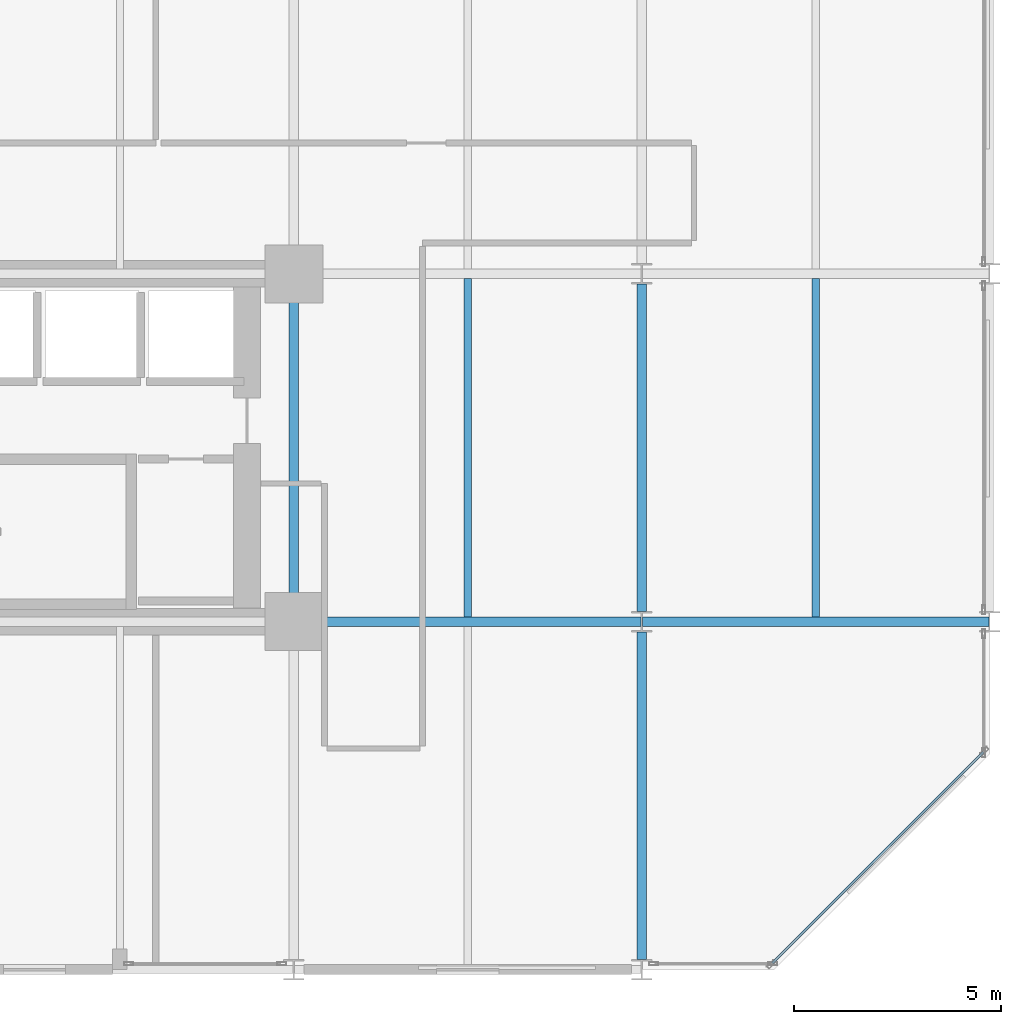
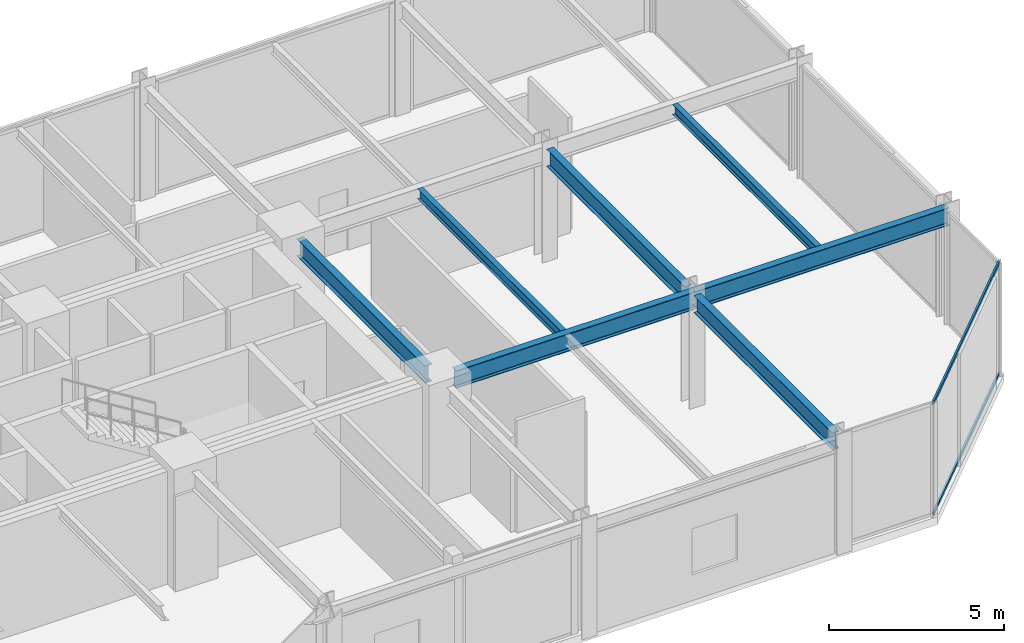
# One storey, part 10 of 24: 7 beams, 2 members, 1 element without a shape of its own.
"""IFC4 building model written with IfcOpenShell, lengths in metres."""

from ifc_helpers import new_model, si_unit, direction, frame, origin, origin_2d, place, context, subcontext, project, spatial, hollow_rectangle, i_section, extrude, material, layer, layer_set, material_profile, profile_set, type_object, element, aggregate, save


model = new_model("IFC4")

# Units and contexts
model_context = context("Model", 3, precision=1e-05, world=origin(), true_north=direction((0.0, 1.0)))
body_context = subcontext(model_context, "Body", "Model", "MODEL_VIEW")
ifc_project = project(units=[si_unit("LENGTHUNIT", "METRE"), si_unit("AREAUNIT", "SQUARE_METRE"), si_unit("VOLUMEUNIT", "CUBIC_METRE"), si_unit("PLANEANGLEUNIT", "RADIAN"), si_unit("MASSUNIT", "GRAM", prefix="KILO")], contexts=[model_context])

# Site, building, storey
site_placement = place(None, origin())
site = spatial("IfcSite", under=ifc_project, at=site_placement, CompositionType="ELEMENT")
building_placement = place(site_placement, origin())
building = spatial("IfcBuilding", under=site, at=building_placement, Name="Nerrivon Quay Data Exchange", CompositionType="ELEMENT")
storey_placement = place(building_placement, frame((0.0, 0.0, 37.39990234375)))
storey = spatial("IfcBuildingStorey", under=building, at=storey_placement, Name="L08", CompositionType="ELEMENT", Elevation=37.39990234375)

# Beams
ifc_material_1 = material(Name="Steel Grade 350", Category="steel")
ifc_material_profile_1 = material_profile(ifc_material_1, i_section(OverallWidth=0.22900390625, OverallDepth=0.612060546875, WebThickness=0.011962890625, FlangeThickness=0.01953125, FilletRadius=0.013916015625, at=origin_2d()), Name="610UB125")
ifc_profile_set_1 = profile_set([ifc_material_profile_1], Name="Steel Grade 350")
beam_type_1 = type_object("IfcBeamType", Name="BM-G1-610UB125", PredefinedType="BEAM", material=ifc_profile_set_1)
beam_1_placement = place(storey_placement, frame((34.139892578125, 8.39990234375, 3.619140625), z_axis=(1.0, 0.0, 0.0), x_axis=(0.0, 1.0, 0.0)))
element("IfcBeam", 1, at=beam_1_placement, inside=storey, type_object=beam_type_1, Name="L08 EW Girder Y=8.4 (33.6..42.0)", PredefinedType="BEAM", context=body_context, shape_type="SweptSolid", body=[
    extrude(i_section(OverallWidth=0.22900390625, OverallDepth=0.612060546875, WebThickness=0.011962890625, FlangeThickness=0.01953125, FilletRadius=0.013916015625, at=origin_2d()), origin(), (0.0, 0.0, 1.0), 7.84619140625),
])
beam_2_placement = place(storey_placement, frame((42.013916015625, 8.39990234375, 3.619140625), z_axis=(1.0, 0.0, 0.0), x_axis=(0.0, 1.0, 0.0)))
element("IfcBeam", 2, at=beam_2_placement, inside=storey, type_object=beam_type_1, Name="L08 EW Girder Y=8.4 (42.0..50.4)", PredefinedType="BEAM", context=body_context, shape_type="SweptSolid", body=[
    extrude(i_section(OverallWidth=0.22900390625, OverallDepth=0.612060546875, WebThickness=0.011962890625, FlangeThickness=0.01953125, FilletRadius=0.013916015625, at=origin_2d()), origin(), (0.0, 0.0, 1.0), 8.3720703125),
])
ifc_material_profile_2 = material_profile(ifc_material_1, i_section(OverallWidth=0.22802734375, OverallDepth=0.60205078125, WebThickness=0.010498046875, FlangeThickness=0.014892578125, FilletRadius=0.013916015625, at=origin_2d()), Name="610UB101")
ifc_profile_set_2 = profile_set([ifc_material_profile_2], Name="Steel Grade 350")
beam_type_2 = type_object("IfcBeamType", Name="BM-G2-610UB101", PredefinedType="BEAM", material=ifc_profile_set_2)
beam_3_placement = place(storey_placement, frame((33.60009765625, 8.93994140625, 3.6240234375), z_axis=(0.0, 1.0, 0.0), x_axis=(-1.0, 0.0, 0.0)))
element("IfcBeam", 3, at=beam_3_placement, inside=storey, type_object=beam_type_2, Name="L08 NS Girder X=33.6 (8.4..16.8)", PredefinedType="BEAM", context=body_context, shape_type="SweptSolid", body=[
    extrude(i_section(OverallWidth=0.22802734375, OverallDepth=0.60205078125, WebThickness=0.010498046875, FlangeThickness=0.014892578125, FilletRadius=0.013916015625, at=origin_2d()), origin(), (0.0, 0.0, 1.0), 7.320068359375),
])
beam_4_placement = place(storey_placement, frame((42.0, 0.25, 3.6240234375), z_axis=(0.0, 1.0, 0.0), x_axis=(-1.0, 0.0, 0.0)))
element("IfcBeam", 4, at=beam_4_placement, inside=storey, type_object=beam_type_2, Name="L08 NS Girder X=42.0 (0.0..8.4)", PredefinedType="BEAM", context=body_context, shape_type="SweptSolid", body=[
    extrude(i_section(OverallWidth=0.22802734375, OverallDepth=0.60205078125, WebThickness=0.010498046875, FlangeThickness=0.014892578125, FilletRadius=0.013916015625, at=origin_2d()), origin(), (0.0, 0.0, 1.0), 7.89990234375),
])
beam_5_placement = place(storey_placement, frame((42.0, 8.64990234375, 3.6240234375), z_axis=(0.0, 1.0, 0.0), x_axis=(-1.0, 0.0, 0.0)))
element("IfcBeam", 5, at=beam_5_placement, inside=storey, type_object=beam_type_2, Name="L08 NS Girder X=42.0 (8.4..16.8)", PredefinedType="BEAM", context=body_context, shape_type="SweptSolid", body=[
    extrude(i_section(OverallWidth=0.22802734375, OverallDepth=0.60205078125, WebThickness=0.010498046875, FlangeThickness=0.014892578125, FilletRadius=0.013916015625, at=origin_2d()), origin(), (0.0, 0.0, 1.0), 7.900146484375),
])
ifc_material_profile_3 = material_profile(ifc_material_1, i_section(OverallWidth=0.172119140625, OverallDepth=0.35888671875, WebThickness=0.008056640625, FlangeThickness=0.012939453125, FilletRadius=0.011474609375, at=origin_2d()), Name="360UB56.7")
ifc_profile_set_3 = profile_set([ifc_material_profile_3], Name="Steel Grade 350")
beam_type_3 = type_object("IfcBeamType", Name="BM-J3-360UB57", PredefinedType="JOIST", material=ifc_profile_set_3)
for number, where, z_axis, x_axis, name in (
    (6, (37.800048828125, 8.514404296875, 3.74560546875), (0.0, 1.0, 0.0), (-1.0, 0.0, 0.0), "L08 Secondary Joist X=37.8 (8.4..16.8)"),
    (7, (46.199951171875, 8.514404296875, 3.74560546875), (0.0, 1.0, 0.0), (-1.0, 0.0, 0.0), "L08 Secondary Joist X=46.2 (8.4..16.8)"),
):
    element("IfcBeam", number, at=place(storey_placement, frame(where, z_axis=z_axis, x_axis=x_axis)), inside=storey, type_object=beam_type_3, Name=name, PredefinedType="JOIST", context=body_context, shape_type="SweptSolid", body=[
        extrude(i_section(OverallWidth=0.172119140625, OverallDepth=0.35888671875, WebThickness=0.008056640625, FlangeThickness=0.012939453125, FilletRadius=0.011474609375, at=origin_2d()), origin(), (0.0, 0.0, 1.0), 8.171142578125),
    ])

# Curtain wall, members
ifc_material_2 = material(Name="Anodised aluminium 6063-T6", Category="aluminium")
ifc_layer = layer(ifc_material_2, 0.219970703125)
ifc_layer_set = layer_set([ifc_layer], Name="Anodised aluminium 6063-T6")
curtain_wall_type = type_object("IfcCurtainWallType", Name="CW-SYS-01", PredefinedType="NOTDEFINED", material=ifc_layer_set)
curtain_wall_placement = place(storey_placement, origin())
curtain_wall = element("IfcCurtainWall", 8, at=curtain_wall_placement, inside=storey, type_object=curtain_wall_type, Name="L08 Unitised Curtain Wall 1", PredefinedType="NOTDEFINED")
ifc_material_profile_4 = material_profile(ifc_material_2, hollow_rectangle(XDim=0.06005859375, YDim=0.1201171875, WallThickness=0.003173828125, at=origin_2d()), Name="ALU-TRAN-120x60")
ifc_profile_set_4 = profile_set([ifc_material_profile_4], Name="Anodised aluminium 6063-T6")
member_type = type_object("IfcMemberType", Name="CWT-120x60", PredefinedType="USERDEFINED", material=ifc_profile_set_4)
member_1_placement = place(storey_placement, frame((50.248046875, 5.245849609375, 0.03271484375), z_axis=(-0.707123726196, -0.707089835771, 0.0), x_axis=(0.707089835771, -0.707123726196, 0.0)))
member_1 = element("IfcMember", 9, at=member_1_placement, type_object=member_type, Name="CW01 transom 1.1", ObjectType="TRANSOM", PredefinedType="USERDEFINED", context=body_context, shape_type="SweptSolid", body=[
    extrude(hollow_rectangle(XDim=0.06005859375, YDim=0.1201171875, WallThickness=0.003173828125, at=origin_2d()), origin(), (0.0, 0.0, 1.0), 7.203857421875),
])
member_2_placement = place(storey_placement, frame((50.248046875, 5.245849609375, 3.892578125), z_axis=(-0.707123726196, -0.707089835771, 0.0), x_axis=(0.707089835771, -0.707123726196, 0.0)))
member_2 = element("IfcMember", 10, at=member_2_placement, type_object=member_type, Name="CW01 transom 1.2", ObjectType="TRANSOM", PredefinedType="USERDEFINED", context=body_context, shape_type="SweptSolid", body=[
    extrude(hollow_rectangle(XDim=0.06005859375, YDim=0.1201171875, WallThickness=0.003173828125, at=origin_2d()), origin(), (0.0, 0.0, 1.0), 7.203857421875),
])
aggregate(curtain_wall, [member_1, member_2])

save(model, "model.ifc")
